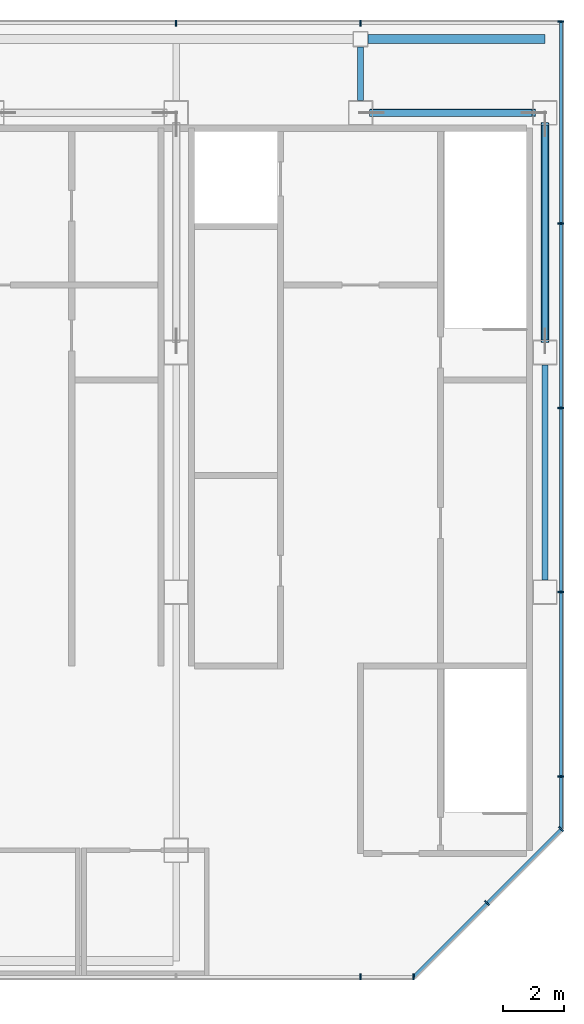
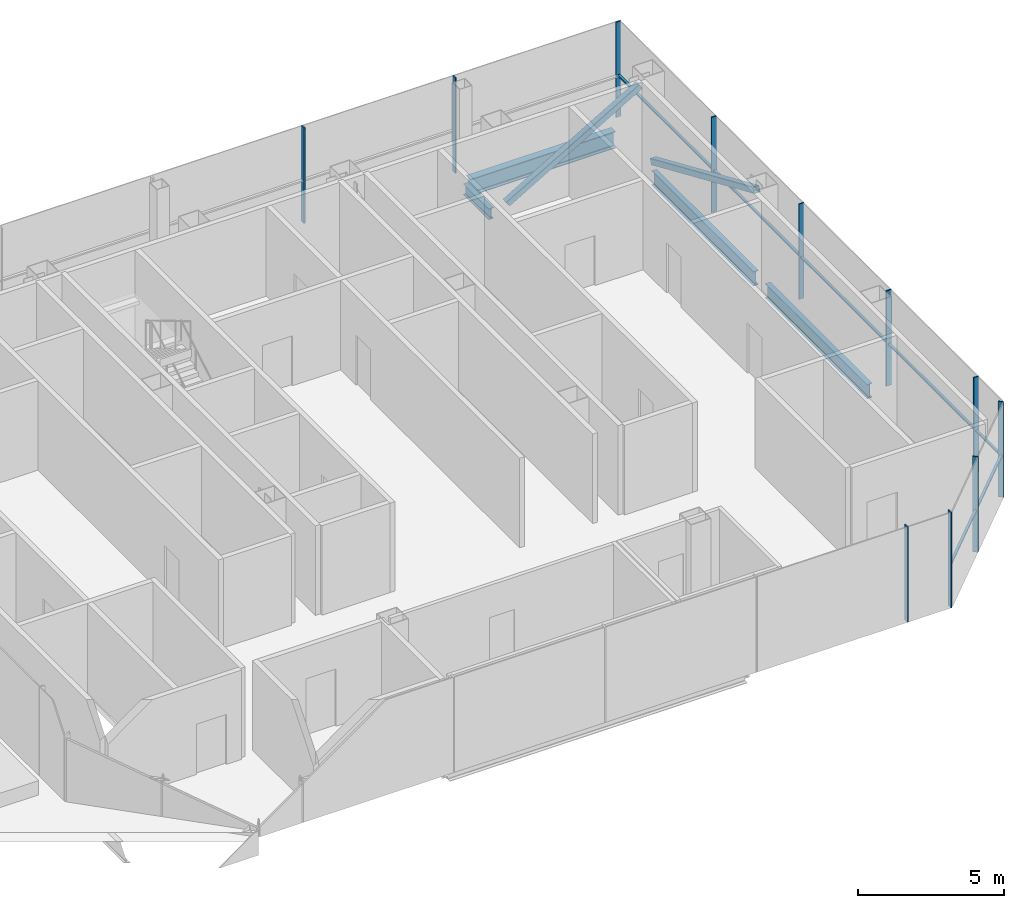
# One storey, part 7 of 12: 15 members, 4 beams, 4 elements without a shape of their own.
"""IFC4 building model written with IfcOpenShell, lengths in metres."""

from ifc_helpers import new_model, si_unit, direction, frame, origin, origin_2d, place, context, subcontext, project, spatial, rectangle, hollow_rectangle, i_section, extrude, material, material_profile, profile_set, type_object, element, aggregate, save


model = new_model("IFC4")

# Units and contexts
model_context = context("Model", 3, precision=1e-05, world=origin(), true_north=direction((0.0, 1.0)))
body_context = subcontext(model_context, "Body", "Model", "MODEL_VIEW")
ifc_project = project(units=[si_unit("LENGTHUNIT", "METRE"), si_unit("AREAUNIT", "SQUARE_METRE"), si_unit("VOLUMEUNIT", "CUBIC_METRE"), si_unit("PLANEANGLEUNIT", "RADIAN"), si_unit("MASSUNIT", "GRAM", prefix="KILO")], contexts=[model_context])

# Site, building, storey
site_placement = place(None, origin())
site = spatial("IfcSite", under=ifc_project, at=site_placement, CompositionType="ELEMENT")
building_placement = place(site_placement, origin())
building = spatial("IfcBuilding", under=site, at=building_placement, Name="Sorahane Residences", CompositionType="ELEMENT")
storey_placement = place(building_placement, frame((0.0, 0.0, 353.800048828125)))
storey = spatial("IfcBuildingStorey", under=building, at=storey_placement, Name="L84", CompositionType="ELEMENT", Elevation=353.800048828125)

# Members
ifc_material_1 = material(Name="Steel Q355B", Category="steel")
ifc_material_profile_1 = material_profile(ifc_material_1, hollow_rectangle(XDim=0.25, YDim=0.25, WallThickness=0.011962890625, InnerFilletRadius=0.006103515625, OuterFilletRadius=0.01806640625, at=origin_2d()), Name="RHS 250x250x12")
ifc_profile_set_1 = profile_set([ifc_material_profile_1], Name="Steel Q355B")
member_type_1 = type_object("IfcMemberType", Name="Core brace RHS 250x250x12 Q355B", PredefinedType="BRACE", material=ifc_profile_set_1)
member_1_placement = place(storey_placement, frame((36.362060546875, 45.60009765625, 0.102783203125), z_axis=(0.862574842184, 0.0, 0.505929482864), x_axis=(0.0, 1.0, 0.0)))
element("IfcMember", 1, at=member_1_placement, inside=storey, type_object=member_type_1, Name="Core brace L84 y45.6-6", PredefinedType="BRACE", context=body_context, shape_type="SweptSolid", body=[
    extrude(hollow_rectangle(XDim=0.25, YDim=0.25, WallThickness=0.011962890625, InnerFilletRadius=0.006103515625, OuterFilletRadius=0.01806640625, at=origin_2d()), origin(), (0.0, 0.0, 1.0), 6.116455078125),
])
member_2_placement = place(storey_placement, frame((42.0, 45.22998046875, 0.11181640625), z_axis=(0.0, -0.916757291072, 0.399444701138), x_axis=(1.0, 0.0, 0.0)))
element("IfcMember", 2, at=member_2_placement, inside=storey, type_object=member_type_1, Name="Core brace L84 x42-3", PredefinedType="BRACE", context=body_context, shape_type="SweptSolid", body=[
    extrude(hollow_rectangle(XDim=0.25, YDim=0.25, WallThickness=0.011962890625, InnerFilletRadius=0.006103515625, OuterFilletRadius=0.01806640625, at=origin_2d()), origin(), (0.0, 0.0, 1.0), 7.701171875),
])

# Curtain wall, members
ifc_material_2 = material(Name="Dark low-e glass and black anodised aluminium", Category="aluminium")
curtain_wall_type = type_object("IfcCurtainWallType", Name="Curtain wall CW-6 Crown unitised wall", PredefinedType="NOTDEFINED", material=ifc_material_2)
curtain_wall_1_placement = place(storey_placement, origin())
curtain_wall_1 = element("IfcCurtainWall", 3, at=curtain_wall_1_placement, inside=storey, type_object=curtain_wall_type, Name="CW-6 curtain wall L84 S1", PredefinedType="NOTDEFINED")
ifc_material_3 = material(Name="Black anodised aluminium", Category="aluminium")
ifc_material_profile_2 = material_profile(ifc_material_3, rectangle(XDim=0.199951171875, YDim=0.050048828125, at=origin_2d()), Name="Curtain wall mullion CW-6 black anodised aluminium 50x200")
ifc_profile_set_2 = profile_set([ifc_material_profile_2], Name="Black anodised aluminium")
member_type_2 = type_object("IfcMemberType", Name="Curtain wall mullion CW-6 black anodised aluminium 50x200", PredefinedType="MULLION", material=ifc_profile_set_2)
member_3_placement = place(storey_placement, frame((36.0, 17.47998046875, -0.25), z_axis=(0.0, 0.0, 1.0), x_axis=(0.0, -1.0, 0.0)))
member_3 = element("IfcMember", 4, at=member_3_placement, type_object=member_type_2, Name="CW-6 mullion L84 S1.6", PredefinedType="MULLION", context=body_context, shape_type="SweptSolid", body=[
    extrude(rectangle(XDim=0.199951171875, YDim=0.050048828125, at=origin_2d()), origin(), (0.0, 0.0, 1.0), 4.0),
])
member_4_placement = place(storey_placement, frame((37.7236328125, 17.47998046875, -0.25), z_axis=(0.0, 0.0, 1.0), x_axis=(0.0, -1.0, 0.0)))
member_4 = element("IfcMember", 5, at=member_4_placement, type_object=member_type_2, Name="CW-6 mullion L84 S1.7", PredefinedType="MULLION", context=body_context, shape_type="SweptSolid", body=[
    extrude(rectangle(XDim=0.199951171875, YDim=0.050048828125, at=origin_2d()), origin(), (0.0, 0.0, 1.0), 4.0),
])
aggregate(curtain_wall_1, [member_3, member_4])

curtain_wall_2_placement = place(storey_placement, origin())
curtain_wall_2 = element("IfcCurtainWall", 6, at=curtain_wall_2_placement, inside=storey, type_object=curtain_wall_type, Name="CW-6 curtain wall L84 SE1", PredefinedType="NOTDEFINED")
member_5_placement = place(storey_placement, frame((40.11767578125, 19.88232421875, -0.25), z_axis=(0.0, 0.0, 1.0), x_axis=(0.707106781187, -0.707106781187, 0.0)))
member_5 = element("IfcMember", 7, at=member_5_placement, type_object=member_type_2, Name="CW-6 mullion L84 SE1.2", PredefinedType="MULLION", context=body_context, shape_type="SweptSolid", body=[
    extrude(rectangle(XDim=0.199951171875, YDim=0.050048828125, at=origin_2d()), origin(), (0.0, 0.0, 1.0), 4.0),
])
member_6_placement = place(storey_placement, frame((42.525634765625, 22.290283203125, -0.25), z_axis=(0.0, 0.0, 1.0), x_axis=(0.707106781187, -0.707106781187, 0.0)))
member_6 = element("IfcMember", 8, at=member_6_placement, type_object=member_type_2, Name="CW-6 mullion L84 SE1.3", PredefinedType="MULLION", context=body_context, shape_type="SweptSolid", body=[
    extrude(rectangle(XDim=0.199951171875, YDim=0.050048828125, at=origin_2d()), origin(), (0.0, 0.0, 1.0), 4.0),
])

curtain_wall_3_placement = place(storey_placement, origin())
curtain_wall_3 = element("IfcCurtainWall", 9, at=curtain_wall_3_placement, inside=storey, type_object=curtain_wall_type, Name="CW-6 curtain wall L84 E1", PredefinedType="NOTDEFINED")
member_7_placement = place(storey_placement, frame((42.52001953125, 24.0, -0.25), z_axis=(0.0, 0.0, 1.0), x_axis=(1.0, 0.0, 0.0)))
member_7 = element("IfcMember", 10, at=member_7_placement, type_object=member_type_2, Name="CW-6 mullion L84 E1.2", PredefinedType="MULLION", context=body_context, shape_type="SweptSolid", body=[
    extrude(rectangle(XDim=0.199951171875, YDim=0.050048828125, at=origin_2d()), origin(), (0.0, 0.0, 1.0), 4.0),
])
member_8_placement = place(storey_placement, frame((42.52001953125, 30.0, -0.25), z_axis=(0.0, 0.0, 1.0), x_axis=(1.0, 0.0, 0.0)))
member_8 = element("IfcMember", 11, at=member_8_placement, type_object=member_type_2, Name="CW-6 mullion L84 E1.3", PredefinedType="MULLION", context=body_context, shape_type="SweptSolid", body=[
    extrude(rectangle(XDim=0.199951171875, YDim=0.050048828125, at=origin_2d()), origin(), (0.0, 0.0, 1.0), 4.0),
])
member_9_placement = place(storey_placement, frame((42.52001953125, 36.0, -0.25), z_axis=(0.0, 0.0, 1.0), x_axis=(1.0, 0.0, 0.0)))
member_9 = element("IfcMember", 12, at=member_9_placement, type_object=member_type_2, Name="CW-6 mullion L84 E1.4", PredefinedType="MULLION", context=body_context, shape_type="SweptSolid", body=[
    extrude(rectangle(XDim=0.199951171875, YDim=0.050048828125, at=origin_2d()), origin(), (0.0, 0.0, 1.0), 4.0),
])
member_10_placement = place(storey_placement, frame((42.52001953125, 42.0, -0.25), z_axis=(0.0, 0.0, 1.0), x_axis=(1.0, 0.0, 0.0)))
member_10 = element("IfcMember", 13, at=member_10_placement, type_object=member_type_2, Name="CW-6 mullion L84 E1.5", PredefinedType="MULLION", context=body_context, shape_type="SweptSolid", body=[
    extrude(rectangle(XDim=0.199951171875, YDim=0.050048828125, at=origin_2d()), origin(), (0.0, 0.0, 1.0), 4.0),
])
member_11_placement = place(storey_placement, frame((42.52001953125, 48.574951171875, -0.25), z_axis=(0.0, 0.0, 1.0), x_axis=(1.0, 0.0, 0.0)))
member_11 = element("IfcMember", 14, at=member_11_placement, type_object=member_type_2, Name="CW-6 mullion L84 E1.6", PredefinedType="MULLION", context=body_context, shape_type="SweptSolid", body=[
    extrude(rectangle(XDim=0.199951171875, YDim=0.050048828125, at=origin_2d()), origin(), (0.0, 0.0, 1.0), 4.0),
])

curtain_wall_4_placement = place(storey_placement, origin())
curtain_wall_4 = element("IfcCurtainWall", 15, at=curtain_wall_4_placement, inside=storey, type_object=curtain_wall_type, Name="CW-6 curtain wall L84 N1", PredefinedType="NOTDEFINED")
member_12_placement = place(storey_placement, frame((36.0, 48.52001953125, -0.25), z_axis=(0.0, 0.0, 1.0), x_axis=(0.0, 1.0, 0.0)))
member_12 = element("IfcMember", 16, at=member_12_placement, type_object=member_type_2, Name="CW-6 mullion L84 N1.2", PredefinedType="MULLION", context=body_context, shape_type="SweptSolid", body=[
    extrude(rectangle(XDim=0.199951171875, YDim=0.050048828125, at=origin_2d()), origin(), (0.0, 0.0, 1.0), 4.0),
])
member_13_placement = place(storey_placement, frame((30.0, 48.52001953125, -0.25), z_axis=(0.0, 0.0, 1.0), x_axis=(0.0, 1.0, 0.0)))
member_13 = element("IfcMember", 17, at=member_13_placement, type_object=member_type_2, Name="CW-6 mullion L84 N1.3", PredefinedType="MULLION", context=body_context, shape_type="SweptSolid", body=[
    extrude(rectangle(XDim=0.199951171875, YDim=0.050048828125, at=origin_2d()), origin(), (0.0, 0.0, 1.0), 4.0),
])
aggregate(curtain_wall_4, [member_12, member_13])

# Member
ifc_material_4 = material(Name="Black anodised aluminium", Category="aluminium")
ifc_material_profile_3 = material_profile(ifc_material_4, rectangle(XDim=0.10009765625, YDim=0.06005859375, at=origin_2d()), Name="Curtain wall transom CW-6 black anodised aluminium 60x100")
ifc_profile_set_3 = profile_set([ifc_material_profile_3], Name="Black anodised aluminium")
member_type_3 = type_object("IfcMemberType", Name="Curtain wall transom CW-6 black anodised aluminium 60x100", PredefinedType="USERDEFINED", material=ifc_profile_set_3)
member_14_placement = place(storey_placement, frame((37.734375, 17.48486328125, 1.5), z_axis=(0.707106781187, 0.707106781187, 0.0), x_axis=(-0.707106781187, 0.707106781187, 0.0)))
member_14 = element("IfcMember", 18, at=member_14_placement, type_object=member_type_3, Name="CW-6 transom L84 SE1", ObjectType="TRANSOM", PredefinedType="USERDEFINED", context=body_context, shape_type="SweptSolid", body=[
    extrude(rectangle(XDim=0.10009765625, YDim=0.06005859375, at=origin_2d()), origin(), (0.0, 0.0, 1.0), 6.760986328125),
])

aggregate(curtain_wall_2, [member_5, member_6, member_14])

member_15_placement = place(storey_placement, frame((42.530029296875, 22.301513671875, 1.5), z_axis=(0.0, 1.0, 0.0), x_axis=(-1.0, 0.0, 0.0)))
member_15 = element("IfcMember", 19, at=member_15_placement, type_object=member_type_3, Name="CW-6 transom L84 E1", ObjectType="TRANSOM", PredefinedType="USERDEFINED", context=body_context, shape_type="SweptSolid", body=[
    extrude(rectangle(XDim=0.10009765625, YDim=0.06005859375, at=origin_2d()), origin(), (0.0, 0.0, 1.0), 26.24853515625),
])

aggregate(curtain_wall_3, [member_7, member_8, member_9, member_10, member_11, member_15])

# Beams
ifc_material_5 = material(Name="Steel Q355B", Category="steel")
ifc_material_profile_4 = material_profile(ifc_material_5, i_section(OverallWidth=0.199951171875, OverallDepth=0.449951171875, WebThickness=0.009033203125, FlangeThickness=0.013916015625, FilletRadius=0.02001953125, at=origin_2d()), Name="HN 450x200x9x14")
ifc_profile_set_4 = profile_set([ifc_material_profile_4], Name="Steel Q355B")
beam_type_1 = type_object("IfcBeamType", Name="Steel floor beam HN 450x200x9x14 Q355B", PredefinedType="BEAM", material=ifc_profile_set_4)
beam_1_placement = place(storey_placement, frame((36.0, 46.0, -0.47509765625), z_axis=(0.0, 1.0, 0.0), x_axis=(-1.0, 0.0, 0.0)))
element("IfcBeam", 20, at=beam_1_placement, inside=storey, type_object=beam_type_1, Name="Beam L84 023", PredefinedType="BEAM", context=body_context, shape_type="SweptSolid", body=[
    extrude(i_section(OverallWidth=0.199951171875, OverallDepth=0.449951171875, WebThickness=0.009033203125, FlangeThickness=0.013916015625, FilletRadius=0.02001953125, at=origin_2d()), origin(), (0.0, 0.0, 1.0), 1.75),
])
ifc_material_6 = material(Name="Steel Q355B", Category="steel")
ifc_material_profile_5 = material_profile(ifc_material_6, i_section(OverallWidth=0.199951171875, OverallDepth=0.60009765625, WebThickness=0.010986328125, FlangeThickness=0.01708984375, FilletRadius=0.02392578125, at=origin_2d()), Name="HN 600x200x11x17")
ifc_profile_set_5 = profile_set([ifc_material_profile_5], Name="Steel Q355B")
beam_type_2 = type_object("IfcBeamType", Name="Steel floor beam HN 600x200x11x17 Q355B", PredefinedType="BEAM", material=ifc_profile_set_5)
for number, where, z_axis, x_axis, name in (
    (21, (42.0, 30.39990234375, -0.550048828125), (0.0, 1.0, 0.0), (-1.0, 0.0, 0.0), "Beam L84 024"),
    (22, (42.0, 38.199951171875, -0.550048828125), (0.0, 1.0, 0.0), (-1.0, 0.0, 0.0), "Beam L84 025"),
):
    element("IfcBeam", number, at=place(storey_placement, frame(where, z_axis=z_axis, x_axis=x_axis)), inside=storey, type_object=beam_type_2, Name=name, PredefinedType="BEAM", context=body_context, shape_type="SweptSolid", body=[
        extrude(i_section(OverallWidth=0.199951171875, OverallDepth=0.60009765625, WebThickness=0.010986328125, FlangeThickness=0.01708984375, FilletRadius=0.02392578125, at=origin_2d()), origin(), (0.0, 0.0, 1.0), 7.0),
    ])
ifc_material_7 = material(Name="Steel Q355B", Category="steel")
ifc_material_profile_6 = material_profile(ifc_material_7, i_section(OverallWidth=0.300048828125, OverallDepth=0.699951171875, WebThickness=0.012939453125, FlangeThickness=0.02392578125, FilletRadius=0.028076171875, at=origin_2d()), Name="HN 700x300x13x24")
ifc_profile_set_6 = profile_set([ifc_material_profile_6], Name="Steel Q355B")
beam_type_3 = type_object("IfcBeamType", Name="Steel floor beam HN 700x300x13x24 Q355B", PredefinedType="BEAM", material=ifc_profile_set_6)
beam_2_placement = place(storey_placement, frame((36.25, 48.0, -0.60009765625), z_axis=(1.0, 0.0, 0.0), x_axis=(0.0, 1.0, 0.0)))
element("IfcBeam", 23, at=beam_2_placement, inside=storey, type_object=beam_type_3, Name="Beam L84 003", PredefinedType="BEAM", context=body_context, shape_type="SweptSolid", body=[
    extrude(i_section(OverallWidth=0.300048828125, OverallDepth=0.699951171875, WebThickness=0.012939453125, FlangeThickness=0.02392578125, FilletRadius=0.028076171875, at=origin_2d()), origin(), (0.0, 0.0, 1.0), 5.75),
])

save(model, "model.ifc")
